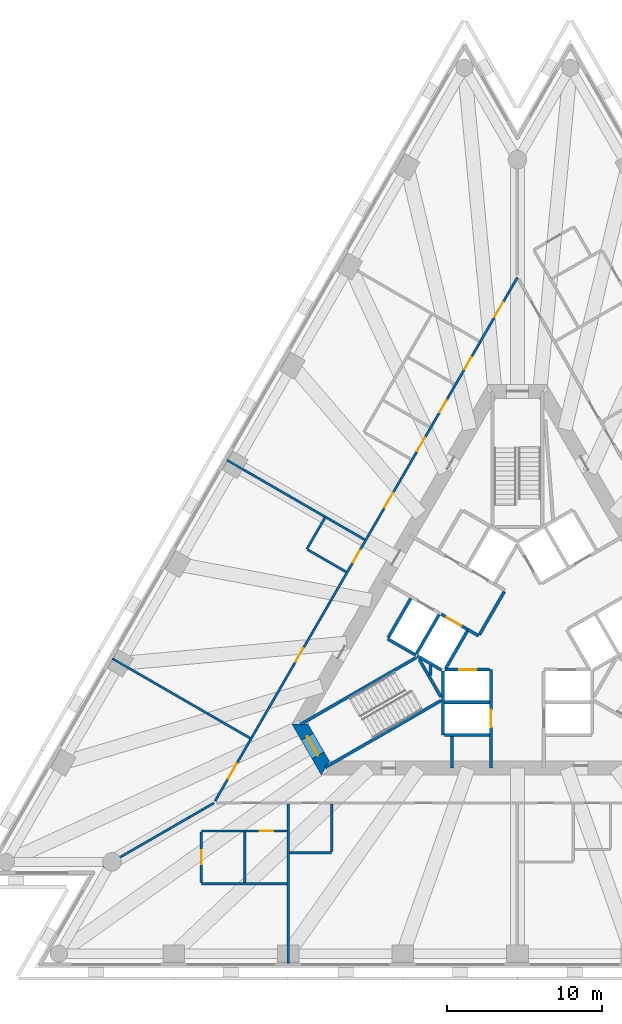
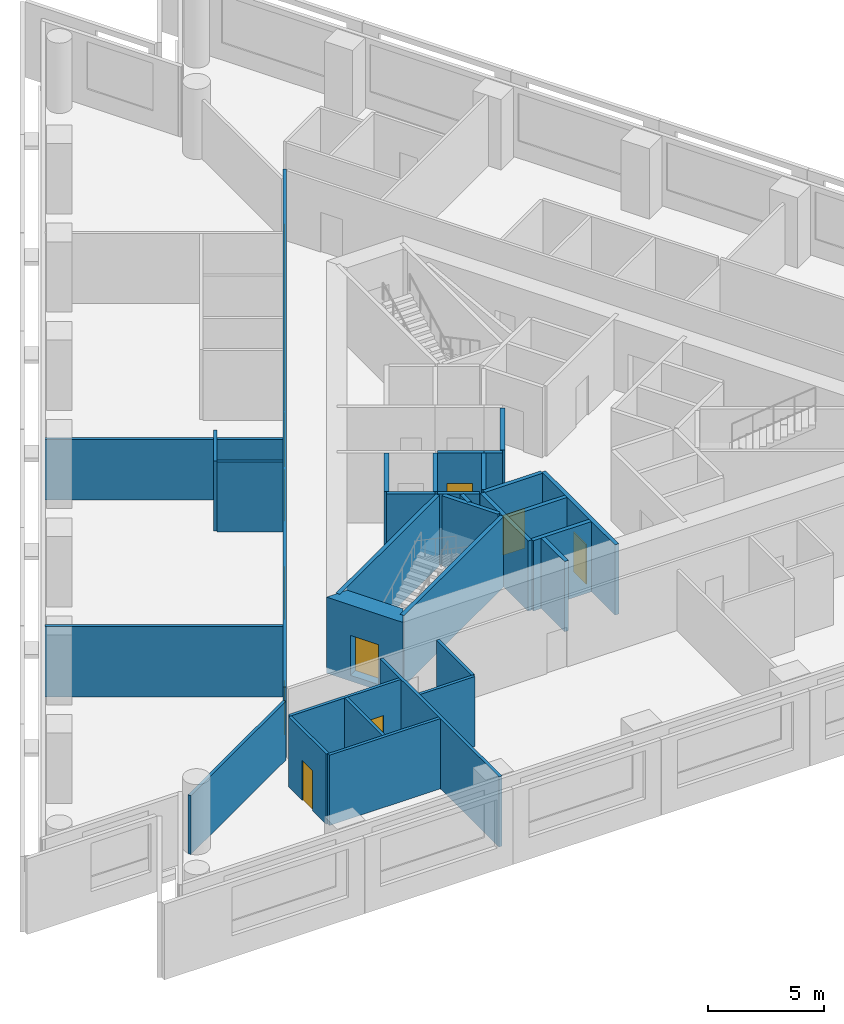
# One storey, part 3 of 11: 32 walls, 14 doors, 14 openings.
"""IFC4 building model written with IfcOpenShell, lengths in metres."""

from ifc_helpers import new_model, si_unit, direction, frame, frame_2d, origin, place, context, subcontext, project, spatial, polyline, rectangle, outline, extrude, material, layer, layer_set, type_object, element, fill, save


model = new_model("IFC4")

# Units and contexts
model_context = context("Model", 3, precision=1e-05, world=origin(), true_north=direction((0.0, 1.0)))
body_context = subcontext(model_context, "Body", "Model", "MODEL_VIEW")
ifc_project = project(units=[si_unit("LENGTHUNIT", "METRE"), si_unit("AREAUNIT", "SQUARE_METRE"), si_unit("VOLUMEUNIT", "CUBIC_METRE"), si_unit("PLANEANGLEUNIT", "RADIAN"), si_unit("MASSUNIT", "GRAM", prefix="KILO")], contexts=[model_context])

# Site, building, storey
site_placement = place(None, origin())
site = spatial("IfcSite", under=ifc_project, at=site_placement, CompositionType="ELEMENT")
building_placement = place(site_placement, origin())
building = spatial("IfcBuilding", under=site, at=building_placement, Name="Triada Interchange Tower", CompositionType="ELEMENT")
storey_placement = place(building_placement, frame((0.0, 0.0, 63.300048828125)))
storey = spatial("IfcBuildingStorey", under=building, at=storey_placement, Name="L13", CompositionType="ELEMENT", Elevation=63.300048828125)

# Walls
ifc_material_1 = material(Name="Concrete C30/37", Category="concrete")
ifc_layer_1 = layer(ifc_material_1, 0.199951171875)
ifc_layer_set_1 = layer_set([ifc_layer_1], Name="CORE WALL 200 EI 120")
wall_type_1 = type_object("IfcWallType", Name="CORE WALL 200 EI 120", PredefinedType="SOLIDWALL", material=ifc_layer_set_1)
wall_1_placement = place(storey_placement, frame((-8.3759765625, -0.70703125, 0.0), z_axis=(0.0, 0.0, 1.0), x_axis=(0.866067520717, -0.499927044236, 0.0)))
element("IfcWall", 1, at=wall_1_placement, inside=storey, type_object=wall_type_1, Name="Wall L12 47", PredefinedType="SOLIDWALL", context=body_context, shape_type="SweptSolid", body=[
    extrude(rectangle(XDim=2.100341796875, YDim=0.199951171875, at=frame_2d((1.05029296875, 0.0))), origin(), (0.0, 0.0, 1.0), 3.699951171875),
])
wall_2_placement = place(storey_placement, frame((-8.325927734375, -0.6201171875, 0.0), z_axis=(0.0, 0.0, 1.0), x_axis=(0.500023687443, 0.866011727401, 0.0)))
element("IfcWall", 2, at=wall_2_placement, inside=storey, type_object=wall_type_1, Name="Wall L12 48", PredefinedType="SOLIDWALL", context=body_context, shape_type="SweptSolid", body=[
    extrude(rectangle(XDim=2.899658203125, YDim=0.199951171875, at=frame_2d((1.44970703125, 0.0))), origin(), (0.0, 0.0, 1.0), 3.699951171875),
])
wall_3_placement = place(storey_placement, frame((-4.699951171875, -4.800048828125, 0.0), z_axis=(0.0, 0.0, 1.0), x_axis=(1.0, 0.0, 0.0)))
element("IfcWall", 3, at=wall_3_placement, inside=storey, type_object=wall_type_1, Name="Wall L12 49", PredefinedType="SOLIDWALL", context=body_context, shape_type="SweptSolid", body=[
    extrude(rectangle(XDim=2.89990234375, YDim=0.199951171875, at=frame_2d((1.449951171875, 0.0))), origin(), (0.0, 0.0, 1.0), 3.699951171875),
])
wall_4_placement = place(storey_placement, frame((-4.800048828125, -6.89990234375, 0.0), z_axis=(0.0, 0.0, 1.0), x_axis=(0.0, 1.0, 0.0)))
element("IfcWall", 4, at=wall_4_placement, inside=storey, type_object=wall_type_1, Name="Wall L12 51", PredefinedType="SOLIDWALL", context=body_context, shape_type="SweptSolid", body=[
    extrude(rectangle(XDim=4.130859375, YDim=0.199951171875, at=frame_2d((2.0654296875, 0.0))), origin(), (0.0, 0.0, 1.0), 3.699951171875),
])
wall_5_placement = place(storey_placement, frame((-4.699951171875, -6.89990234375, 0.0), z_axis=(0.0, 0.0, 1.0), x_axis=(1.0, 0.0, 0.0)))
element("IfcWall", 5, at=wall_5_placement, inside=storey, type_object=wall_type_1, Name="Wall L12 52", PredefinedType="SOLIDWALL", context=body_context, shape_type="SweptSolid", body=[
    extrude(rectangle(XDim=2.89990234375, YDim=0.199951171875, at=frame_2d((1.449951171875, 0.0))), origin(), (0.0, 0.0, 1.0), 3.699951171875),
])

# Wall, opening, door
wall_6_placement = place(storey_placement, frame((-1.699951171875, -9.030029296875, 0.0), z_axis=(0.0, 0.0, 1.0), x_axis=(0.0, 1.0, 0.0)))
wall_6 = element("IfcWall", 6, at=wall_6_placement, inside=storey, type_object=wall_type_1, Name="Wall L12 54", PredefinedType="SOLIDWALL", context=body_context, shape_type="SweptSolid", body=[
    extrude(rectangle(XDim=6.3271484375, YDim=0.199951171875, at=frame_2d((3.16357421875, 0.0))), origin(), (0.0, 0.0, 1.0), 3.699951171875),
])
opening_1_placement = place(wall_6_placement, frame((2.6298828125, 0.0, 0.0)))
opening_1 = element("IfcOpeningElement", 7, at=opening_1_placement, cuts=wall_6, Name="Opening LD-LR4", PredefinedType="OPENING", context=body_context, shape_type="SweptSolid", body=[
    extrude(rectangle(XDim=1.10009765625, YDim=2.10009765625, at=frame_2d((0.550048828125, 1.050048828125))), frame((0.0, 0.10986328125, 0.0), z_axis=(0.0, -1.0, 0.0), x_axis=(1.0, 0.0, 0.0)), (0.0, 0.0, 1.0), 0.219970703125),
])
ifc_material_2 = material(Name="Steel S235 door leaf", Category="steel")
door_type_1 = type_object("IfcDoorType", Name="LIFT LANDING DOOR 1100 EI 120", OperationType="SLIDING_TO_LEFT", PredefinedType="DOOR", material=ifc_material_2)
door_1_placement = place(opening_1_placement, origin())
door_1 = element("IfcDoor", 8, at=door_1_placement, inside=storey, type_object=door_type_1, Name="LR4 landing door L13", OperationType="SLIDING_TO_LEFT", OverallHeight=2.10009765625, OverallWidth=1.10009765625, PredefinedType="DOOR", context=body_context, shape_type="SweptSolid", body=[
    extrude(rectangle(XDim=1.10009765625, YDim=2.10009765625, at=frame_2d((0.550048828125, 1.050048828125))), frame((0.0, 0.02490234375, 0.0), z_axis=(0.0, -1.0, 0.0), x_axis=(1.0, 0.0, 0.0)), (0.0, 0.0, 1.0), 0.050048828125),
])
fill(opening_1, door_1)

wall_7_placement = place(storey_placement, frame((-4.676025390625, -2.699951171875, 0.0), z_axis=(0.0, 0.0, 1.0), x_axis=(1.0, 0.0, 0.0)))
wall_7 = element("IfcWall", 9, at=wall_7_placement, inside=storey, type_object=wall_type_1, Name="Wall L12 55", PredefinedType="SOLIDWALL", context=body_context, shape_type="SweptSolid", body=[
    extrude(rectangle(XDim=2.873046875, YDim=0.199951171875, at=frame_2d((1.4365234375, 0.0))), origin(), (0.0, 0.0, 1.0), 3.699951171875),
])
opening_2_placement = place(wall_7_placement, frame((0.93701171875, 0.0, 0.0)))
opening_2 = element("IfcOpeningElement", 10, at=opening_2_placement, cuts=wall_7, Name="Opening LD-LR3", PredefinedType="OPENING", context=body_context, shape_type="SweptSolid", body=[
    extrude(rectangle(XDim=1.10009765625, YDim=2.10009765625, at=frame_2d((0.550048828125, 1.050048828125))), frame((0.0, 0.10986328125, 0.0), z_axis=(0.0, -1.0, 0.0), x_axis=(1.0, 0.0, 0.0)), (0.0, 0.0, 1.0), 0.219970703125),
])
door_2_placement = place(opening_2_placement, origin())
door_2 = element("IfcDoor", 11, at=door_2_placement, inside=storey, type_object=door_type_1, Name="LR3 landing door L13", OperationType="SLIDING_TO_LEFT", OverallHeight=2.10009765625, OverallWidth=1.10009765625, PredefinedType="DOOR", context=body_context, shape_type="SweptSolid", body=[
    extrude(rectangle(XDim=1.10009765625, YDim=2.10009765625, at=frame_2d((0.550048828125, 1.050048828125))), frame((0.0, 0.02490234375, 0.0), z_axis=(0.0, -1.0, 0.0), x_axis=(1.0, 0.0, 0.0)), (0.0, 0.0, 1.0), 0.050048828125),
])
fill(opening_2, door_2)

# Walls
ifc_layer_2 = layer(ifc_material_1, 0.199951171875)
ifc_layer_set_2 = layer_set([ifc_layer_2], Name="CORE WALL 200 EI 180")
wall_type_2 = type_object("IfcWallType", Name="CORE WALL 200 EI 180", PredefinedType="SOLIDWALL", material=ifc_layer_set_2)
wall_8_placement = place(storey_placement, frame((-3.18798828125, -0.1220703125, 0.0), z_axis=(0.0, 0.0, 1.0), x_axis=(0.865705793592, -0.50055317294, 0.0)))
element("IfcWall", 12, at=wall_8_placement, inside=storey, type_object=wall_type_2, Name="Wall L12 70", PredefinedType="SOLIDWALL", context=body_context, shape_type="SweptSolid", body=[
    extrude(rectangle(XDim=0.796875, YDim=0.199951171875, at=frame_2d((0.3984375, 0.0))), origin(), (0.0, 0.0, 1.0), 3.699951171875),
])
wall_9_placement = place(storey_placement, frame((-2.444091796875, -0.43310546875, 0.0), z_axis=(0.0, 0.0, 1.0), x_axis=(0.500035624827, 0.866004834804, 0.0)))
element("IfcWall", 13, at=wall_9_placement, inside=storey, type_object=wall_type_2, Name="Wall L12 75", PredefinedType="SOLIDWALL", context=body_context, shape_type="SweptSolid", body=[
    extrude(rectangle(XDim=3.194091796875, YDim=0.199951171875, at=frame_2d((1.59716796875, 0.0))), origin(), (0.0, 0.0, 1.0), 3.699951171875),
])
wall_10_placement = place(storey_placement, frame((-6.507080078125, -1.669921875, 0.0), z_axis=(0.0, 0.0, 1.0), x_axis=(0.50012328804, 0.865954211699, 0.0)))
element("IfcWall", 14, at=wall_10_placement, inside=storey, type_object=wall_type_2, Name="Shaft wall FF1 L12 76", PredefinedType="SOLIDWALL", context=body_context, shape_type="SweptSolid", body=[
    extrude(rectangle(XDim=2.899658203125, YDim=0.199951171875, at=frame_2d((1.44970703125, 0.0))), origin(), (0.0, 0.0, 1.0), 3.699951171875),
])
wall_11_placement = place(storey_placement, frame((-6.469970703125, -1.806884765625, 0.0), z_axis=(0.0, 0.0, 1.0), x_axis=(0.865883195159, -0.500246231712, 0.0)))
element("IfcWall", 15, at=wall_11_placement, inside=storey, type_object=wall_type_2, Name="Shaft wall FF1 L12 77", PredefinedType="SOLIDWALL", context=body_context, shape_type="SweptSolid", body=[
    extrude(rectangle(XDim=1.8154296875, YDim=0.199951171875, at=frame_2d((0.90771484375, 0.0))), origin(), (0.0, 0.0, 1.0), 3.699951171875),
])

# Wall, opening, door
wall_12_placement = place(storey_placement, frame((-4.922119140625, 0.87890625, 0.0), z_axis=(0.0, 0.0, 1.0), x_axis=(0.866073918653, -0.499915960366, 0.0)))
wall_12 = element("IfcWall", 16, at=wall_12_placement, inside=storey, type_object=wall_type_2, Name="Shaft wall FF1 L12 78", PredefinedType="SOLIDWALL", context=body_context, shape_type="SweptSolid", body=[
    extrude(rectangle(XDim=2.002197265625, YDim=0.199951171875, at=frame_2d((1.0009765625, 0.0))), origin(), (0.0, 0.0, 1.0), 3.699951171875),
])
opening_3_placement = place(wall_12_placement, frame((0.402099609375, 0.0, 0.0)))
opening_3 = element("IfcOpeningElement", 17, at=opening_3_placement, cuts=wall_12, Name="Opening LD-FF1", PredefinedType="OPENING", context=body_context, shape_type="SweptSolid", body=[
    extrude(rectangle(XDim=1.10009765625, YDim=2.10009765625, at=frame_2d((0.550048828125, 1.050048828125))), frame((0.0, 0.10986328125, 0.0), z_axis=(0.0, -1.0, 0.0), x_axis=(1.0, 0.0, 0.0)), (0.0, 0.0, 1.0), 0.219970703125),
])
door_3_placement = place(opening_3_placement, origin())
door_3 = element("IfcDoor", 18, at=door_3_placement, inside=storey, type_object=door_type_1, Name="FF1 landing door L13", OperationType="SLIDING_TO_LEFT", OverallHeight=2.10009765625, OverallWidth=1.10009765625, PredefinedType="DOOR", context=body_context, shape_type="SweptSolid", body=[
    extrude(rectangle(XDim=1.10009765625, YDim=2.10009765625, at=frame_2d((0.550048828125, 1.050048828125))), frame((0.0, 0.02490234375, 0.0), z_axis=(0.0, -1.0, 0.0), x_axis=(1.0, 0.0, 0.0)), (0.0, 0.0, 1.0), 0.050048828125),
])
fill(opening_3, door_3)

# Walls
wall_13_placement = place(storey_placement, frame((-4.618896484375, -2.60009765625, 0.0), z_axis=(0.0, 0.0, 1.0), x_axis=(0.50009492287, 0.865970593103, 0.0)))
element("IfcWall", 19, at=wall_13_placement, inside=storey, type_object=wall_type_2, Name="Shaft wall FF1 L12 79", PredefinedType="SOLIDWALL", context=body_context, shape_type="SweptSolid", body=[
    extrude(rectangle(XDim=2.76123046875, YDim=0.199951171875, at=frame_2d((1.380615234375, 0.0))), origin(), (0.0, 0.0, 1.0), 3.699951171875),
])
ifc_layer_3 = layer(ifc_material_1, 0.199951171875)
ifc_layer_set_3 = layer_set([ifc_layer_3], Name="CORE WALL 200 EI 90")
wall_type_3 = type_object("IfcWallType", Name="CORE WALL 200 EI 90", PredefinedType="SOLIDWALL", material=ifc_layer_set_3)
wall_14_placement = place(storey_placement, frame((-5.612060546875, -3.080078125, 0.0), z_axis=(0.0, 0.0, 1.0), x_axis=(0.0, 1.0, 0.0)))
element("IfcWall", 20, at=wall_14_placement, inside=storey, type_object=wall_type_3, Name="Wall L12 84", PredefinedType="SOLIDWALL", context=body_context, shape_type="SweptSolid", body=[
    extrude(rectangle(XDim=0.662109375, YDim=0.199951171875, at=frame_2d((0.3310546875, 0.0))), origin(), (0.0, 0.0, 1.0), 3.699951171875),
])
wall_15_placement = place(storey_placement, frame((-4.208984375, -9.030029296875, 0.0), z_axis=(0.0, 0.0, 1.0), x_axis=(0.0, 1.0, 0.0)))
element("IfcWall", 21, at=wall_15_placement, inside=storey, type_object=wall_type_3, Name="Wall L12 85", PredefinedType="SOLIDWALL", context=body_context, shape_type="SweptSolid", body=[
    extrude(rectangle(XDim=2.030029296875, YDim=0.199951171875, at=frame_2d((1.01513671875, 0.0))), origin(), (0.0, 0.0, 1.0), 3.699951171875),
])
ifc_layer_4 = layer(ifc_material_1, 0.199951171875)
ifc_layer_set_4 = layer_set([ifc_layer_4], Name="CORE WALL 200 REI 240")
wall_type_4 = type_object("IfcWallType", Name="CORE WALL 200 REI 240", PredefinedType="SOLIDWALL", material=ifc_layer_set_4)
wall_16_placement = place(storey_placement, frame((-13.989990234375, -6.22900390625, 0.0), z_axis=(0.0, 0.0, 1.0), x_axis=(0.866060059011, 0.499939970583, 0.0)))
element("IfcWall", 22, at=wall_16_placement, inside=storey, type_object=wall_type_4, Name="Wall L12 87", PredefinedType="SOLIDWALL", context=body_context, shape_type="SweptSolid", body=[
    extrude(rectangle(XDim=8.61474609375, YDim=0.199951171875, at=frame_2d((4.307373046875, 0.0))), origin(), (0.0, 0.0, 1.0), 3.699951171875),
])
wall_17_placement = place(storey_placement, frame((-6.3291015625, -2.0380859375, 0.0), z_axis=(0.0, 0.0, 1.0), x_axis=(0.500200581029, -0.865909567298, 0.0)))
element("IfcWall", 23, at=wall_17_placement, inside=storey, type_object=wall_type_4, Name="Wall L12 88", PredefinedType="SOLIDWALL", context=body_context, shape_type="SweptSolid", body=[
    extrude(rectangle(XDim=2.799072265625, YDim=0.199951171875, at=frame_2d((1.3994140625, 0.0))), origin(), (0.0, 0.0, 1.0), 3.699951171875),
])
wall_18_placement = place(storey_placement, frame((-12.389892578125, -9.0009765625, 0.0), z_axis=(0.0, 0.0, 1.0), x_axis=(0.866010975815, 0.500024989144, 0.0)))
element("IfcWall", 24, at=wall_18_placement, inside=storey, type_object=wall_type_4, Name="Wall L12 89", PredefinedType="SOLIDWALL", context=body_context, shape_type="SweptSolid", body=[
    extrude(rectangle(XDim=8.615234375, YDim=0.199951171875, at=frame_2d((4.3076171875, 0.0))), origin(), (0.0, 0.0, 1.0), 3.699951171875),
])

# Wall, opening, door
ifc_material_3 = material(Name="Concrete C70/85", Category="concrete")
ifc_layer_5 = layer(ifc_material_3, 0.89990234375)
ifc_layer_set_5 = layer_set([ifc_layer_5], Name="Core wall A 900")
wall_type_5 = type_object("IfcWallType", Name="Core wall A 900", PredefinedType="SHEAR", material=ifc_layer_set_5)
wall_19_placement = place(storey_placement, frame((-14.030029296875, -6.199951171875, -0.300048828125), z_axis=(0.0, 0.0, 1.0), x_axis=(0.500111984565, -0.865960739811, 0.0)))
wall_19 = element("IfcWall", 25, at=wall_19_placement, inside=storey, type_object=wall_type_5, Name="Core wall WA03 L13", PredefinedType="SHEAR", context=body_context, shape_type="SweptSolid", body=[
    extrude(outline(polyline([(-0.260009765625, -0.448974609375), (1.6455078125, -0.449462890625), (3.551025390625, -0.449951171875), (3.031982421875, 0.449951171875), (1.64599609375, 0.449951171875), (0.260009765625, 0.449951171875), (-0.260009765625, -0.448974609375)])), origin(), (0.0, 0.0, 1.0), 4.0),
])
opening_4_placement = place(wall_19_placement, frame((0.946044921875, 0.0, 0.300048828125)))
opening_4 = element("IfcOpeningElement", 26, at=opening_4_placement, cuts=wall_19, Name="Opening D12-42", PredefinedType="OPENING", context=body_context, shape_type="SweptSolid", body=[
    extrude(rectangle(XDim=1.39990234375, YDim=2.10009765625, at=frame_2d((0.699951171875, 1.050048828125))), frame((0.0, 0.4599609375, 0.0), z_axis=(0.0, -1.0, 0.0), x_axis=(1.0, 0.0, 0.0)), (0.0, 0.0, 1.0), 0.919921875),
])
door_type_2 = type_object("IfcDoorType", Name="STAIR DOOR 1400 EI2 90-C5S200", OperationType="DOUBLE_DOOR_SINGLE_SWING", PredefinedType="DOOR", material=ifc_material_2)
door_4_placement = place(opening_4_placement, origin())
door_4 = element("IfcDoor", 27, at=door_4_placement, inside=storey, type_object=door_type_2, Name="Door D12-42 L13", OperationType="DOUBLE_DOOR_SINGLE_SWING", OverallHeight=2.10009765625, OverallWidth=1.39990234375, PredefinedType="DOOR", context=body_context, shape_type="SweptSolid", body=[
    extrude(rectangle(XDim=1.39990234375, YDim=2.10009765625, at=frame_2d((0.699951171875, 1.050048828125))), frame((0.0, 0.02490234375, 0.0), z_axis=(0.0, -1.0, 0.0), x_axis=(1.0, 0.0, 0.0)), (0.0, 0.0, 1.0), 0.050048828125),
])
fill(opening_4, door_4)

# Walls
ifc_material_4 = material(Name="Gypsum board partition")
ifc_layer_6 = layer(ifc_material_4, 0.14990234375)
ifc_layer_set_6 = layer_set([ifc_layer_6], Name="PARTITION 150 EI 180")
wall_type_6 = type_object("IfcWallType", Name="PARTITION 150 EI 180", PredefinedType="PARTITIONING", material=ifc_layer_set_6)
wall_20_placement = place(storey_placement, frame((-26.68701171875, -15.407958984375, 0.0), z_axis=(0.0, 0.0, 1.0), x_axis=(0.866021786635, 0.500006265035, 0.0)))
element("IfcWall", 28, at=wall_20_placement, inside=storey, type_object=wall_type_6, Name="Wall L12 1", PredefinedType="PARTITIONING", context=body_context, shape_type="SweptSolid", body=[
    extrude(rectangle(XDim=8.2158203125, YDim=0.14990234375, at=frame_2d((4.10791015625, 0.0))), origin(), (0.0, 0.0, 1.0), 3.099853515625),
])
wall_21_placement = place(storey_placement, frame((-26.1279296875, -1.985107421875, 0.0), z_axis=(0.0, 0.0, 1.0), x_axis=(0.866020337685, -0.500008774639, 0.0)))
element("IfcWall", 29, at=wall_21_placement, inside=storey, type_object=wall_type_6, Name="Wall L12 3", PredefinedType="PARTITIONING", context=body_context, shape_type="SweptSolid", body=[
    extrude(rectangle(XDim=10.259521484375, YDim=0.14990234375, at=frame_2d((5.1298828125, 0.0))), origin(), (0.0, 0.0, 1.0), 3.699951171875),
])

# Wall, openings, doors
wall_22_placement = place(storey_placement, frame((-19.4970703125, -11.169921875, 0.0), z_axis=(0.0, 0.0, 1.0), x_axis=(0.499998854553, 0.866026065108, 0.0)))
wall_22 = element("IfcWall", 30, at=wall_22_placement, inside=storey, type_object=wall_type_6, Name="Wall L12 4", PredefinedType="PARTITIONING", context=body_context, shape_type="SweptSolid", body=[
    extrude(rectangle(XDim=38.994140625, YDim=0.14990234375, at=frame_2d((19.4970703125, 0.0))), origin(), (0.0, 0.0, 1.0), 3.699951171875),
])
opening_5_placement = place(wall_22_placement, frame((36.0439453125, 0.0, 0.0)))
opening_5 = element("IfcOpeningElement", 31, at=opening_5_placement, cuts=wall_22, Name="Opening D12-32", PredefinedType="OPENING", context=body_context, shape_type="SweptSolid", body=[
    extrude(rectangle(XDim=1.10009765625, YDim=2.10009765625, at=frame_2d((0.550048828125, 1.050048828125))), frame((0.0, 0.0849609375, 0.0), z_axis=(0.0, -1.0, 0.0), x_axis=(1.0, 0.0, 0.0)), (0.0, 0.0, 1.0), 0.169921875),
])
opening_6_placement = place(wall_22_placement, frame((21.85498046875, 0.0, 0.0)))
opening_6 = element("IfcOpeningElement", 32, at=opening_6_placement, cuts=wall_22, Name="Opening D12-33", PredefinedType="OPENING", context=body_context, shape_type="SweptSolid", body=[
    extrude(rectangle(XDim=1.10009765625, YDim=2.10009765625, at=frame_2d((0.550048828125, 1.050048828125))), frame((0.0, 0.0849609375, 0.0), z_axis=(0.0, -1.0, 0.0), x_axis=(1.0, 0.0, 0.0)), (0.0, 0.0, 1.0), 0.169921875),
])
opening_7_placement = place(wall_22_placement, frame((32.155029296875, 0.0, 0.0)))
opening_7 = element("IfcOpeningElement", 33, at=opening_7_placement, cuts=wall_22, Name="Opening D12-34", PredefinedType="OPENING", context=body_context, shape_type="SweptSolid", body=[
    extrude(rectangle(XDim=0.89990234375, YDim=2.10009765625, at=frame_2d((0.449951171875, 1.050048828125))), frame((0.0, 0.0849609375, 0.0), z_axis=(0.0, -1.0, 0.0), x_axis=(1.0, 0.0, 0.0)), (0.0, 0.0, 1.0), 0.169921875),
])
opening_8_placement = place(wall_22_placement, frame((28.955078125, 0.0, 0.0)))
opening_8 = element("IfcOpeningElement", 34, at=opening_8_placement, cuts=wall_22, Name="Opening D12-35", PredefinedType="OPENING", context=body_context, shape_type="SweptSolid", body=[
    extrude(rectangle(XDim=0.89990234375, YDim=2.10009765625, at=frame_2d((0.449951171875, 1.050048828125))), frame((0.0, 0.0849609375, 0.0), z_axis=(0.0, -1.0, 0.0), x_axis=(1.0, 0.0, 0.0)), (0.0, 0.0, 1.0), 0.169921875),
])
opening_9_placement = place(wall_22_placement, frame((26.054931640625, 0.0, 0.0)))
opening_9 = element("IfcOpeningElement", 35, at=opening_9_placement, cuts=wall_22, Name="Opening D12-36", PredefinedType="OPENING", context=body_context, shape_type="SweptSolid", body=[
    extrude(rectangle(XDim=1.0, YDim=2.10009765625, at=frame_2d((0.5, 1.050048828125))), frame((0.0, 0.0849609375, 0.0), z_axis=(0.0, -1.0, 0.0), x_axis=(1.0, 0.0, 0.0)), (0.0, 0.0, 1.0), 0.169921875),
])
opening_10_placement = place(wall_22_placement, frame((10.373046875, 0.0, 0.0)))
opening_10 = element("IfcOpeningElement", 36, at=opening_10_placement, cuts=wall_22, Name="Opening D12-37", PredefinedType="OPENING", context=body_context, shape_type="SweptSolid", body=[
    extrude(rectangle(XDim=1.0, YDim=2.10009765625, at=frame_2d((0.5, 1.050048828125))), frame((0.0, 0.0849609375, 0.0), z_axis=(0.0, -1.0, 0.0), x_axis=(1.0, 0.0, 0.0)), (0.0, 0.0, 1.0), 0.169921875),
])
opening_11_placement = place(wall_22_placement, frame((17.77294921875, 0.0, 0.0)))
opening_11 = element("IfcOpeningElement", 37, at=opening_11_placement, cuts=wall_22, Name="Opening D12-38", PredefinedType="OPENING", context=body_context, shape_type="SweptSolid", body=[
    extrude(rectangle(XDim=0.89990234375, YDim=2.10009765625, at=frame_2d((0.449951171875, 1.050048828125))), frame((0.0, 0.0849609375, 0.0), z_axis=(0.0, -1.0, 0.0), x_axis=(1.0, 0.0, 0.0)), (0.0, 0.0, 1.0), 0.169921875),
])
opening_12_placement = place(wall_22_placement, frame((1.68896484375, 0.0, 0.0)))
opening_12 = element("IfcOpeningElement", 38, at=opening_12_placement, cuts=wall_22, Name="Opening D12-39", PredefinedType="OPENING", context=body_context, shape_type="SweptSolid", body=[
    extrude(rectangle(XDim=1.10009765625, YDim=2.10009765625, at=frame_2d((0.550048828125, 1.050048828125))), frame((0.0, 0.0849609375, 0.0), z_axis=(0.0, -1.0, 0.0), x_axis=(1.0, 0.0, 0.0)), (0.0, 0.0, 1.0), 0.169921875),
])
door_type_3 = type_object("IfcDoorType", Name="ROOM DOOR 1000 EI2 90-C5S200", OperationType="NOTDEFINED", PredefinedType="DOOR", material=ifc_material_2)
door_5_placement = place(opening_9_placement, origin())
door_5 = element("IfcDoor", 39, at=door_5_placement, inside=storey, type_object=door_type_3, Name="Door D12-36 L13", OperationType="SINGLE_SWING_RIGHT", OverallHeight=2.10009765625, OverallWidth=1.0, PredefinedType="DOOR", context=body_context, shape_type="SweptSolid", body=[
    extrude(rectangle(XDim=1.0, YDim=2.10009765625, at=frame_2d((0.5, 1.050048828125))), frame((0.0, 0.02490234375, 0.0), z_axis=(0.0, -1.0, 0.0), x_axis=(1.0, 0.0, 0.0)), (0.0, 0.0, 1.0), 0.050048828125),
])
fill(opening_9, door_5)
door_6_placement = place(opening_10_placement, origin())
door_6 = element("IfcDoor", 40, at=door_6_placement, inside=storey, type_object=door_type_3, Name="Door D12-37 L13", OperationType="SINGLE_SWING_LEFT", OverallHeight=2.10009765625, OverallWidth=1.0, PredefinedType="DOOR", context=body_context, shape_type="SweptSolid", body=[
    extrude(rectangle(XDim=1.0, YDim=2.10009765625, at=frame_2d((0.5, 1.050048828125))), frame((0.0, 0.02490234375, 0.0), z_axis=(0.0, -1.0, 0.0), x_axis=(1.0, 0.0, 0.0)), (0.0, 0.0, 1.0), 0.050048828125),
])
fill(opening_10, door_6)
door_type_4 = type_object("IfcDoorType", Name="ROOM DOOR 900 EI2 90-C5S200", OperationType="NOTDEFINED", PredefinedType="DOOR", material=ifc_material_2)
door_7_placement = place(opening_7_placement, origin())
door_7 = element("IfcDoor", 41, at=door_7_placement, inside=storey, type_object=door_type_4, Name="Door D12-34 L13", OperationType="SINGLE_SWING_RIGHT", OverallHeight=2.10009765625, OverallWidth=0.89990234375, PredefinedType="DOOR", context=body_context, shape_type="SweptSolid", body=[
    extrude(rectangle(XDim=0.89990234375, YDim=2.10009765625, at=frame_2d((0.449951171875, 1.050048828125))), frame((0.0, 0.02490234375, 0.0), z_axis=(0.0, -1.0, 0.0), x_axis=(1.0, 0.0, 0.0)), (0.0, 0.0, 1.0), 0.050048828125),
])
fill(opening_7, door_7)
door_8_placement = place(opening_8_placement, origin())
door_8 = element("IfcDoor", 42, at=door_8_placement, inside=storey, type_object=door_type_4, Name="Door D12-35 L13", OperationType="SINGLE_SWING_LEFT", OverallHeight=2.10009765625, OverallWidth=0.89990234375, PredefinedType="DOOR", context=body_context, shape_type="SweptSolid", body=[
    extrude(rectangle(XDim=0.89990234375, YDim=2.10009765625, at=frame_2d((0.449951171875, 1.050048828125))), frame((0.0, 0.02490234375, 0.0), z_axis=(0.0, -1.0, 0.0), x_axis=(1.0, 0.0, 0.0)), (0.0, 0.0, 1.0), 0.050048828125),
])
fill(opening_8, door_8)
door_type_5 = type_object("IfcDoorType", Name="SERVICE DOOR 900 EI2 90-C5S200", OperationType="NOTDEFINED", PredefinedType="DOOR", material=ifc_material_2)
door_9_placement = place(opening_11_placement, origin())
door_9 = element("IfcDoor", 43, at=door_9_placement, inside=storey, type_object=door_type_5, Name="Door D12-38 L13", OperationType="SINGLE_SWING_RIGHT", OverallHeight=2.10009765625, OverallWidth=0.89990234375, PredefinedType="DOOR", context=body_context, shape_type="SweptSolid", body=[
    extrude(rectangle(XDim=0.89990234375, YDim=2.10009765625, at=frame_2d((0.449951171875, 1.050048828125))), frame((0.0, 0.02490234375, 0.0), z_axis=(0.0, -1.0, 0.0), x_axis=(1.0, 0.0, 0.0)), (0.0, 0.0, 1.0), 0.050048828125),
])
fill(opening_11, door_9)
door_type_6 = type_object("IfcDoorType", Name="TENANCY ENTRANCE DOOR 1100 EI2 90-C5S200", OperationType="NOTDEFINED", PredefinedType="DOOR", material=ifc_material_2)
door_10_placement = place(opening_5_placement, origin())
door_10 = element("IfcDoor", 44, at=door_10_placement, inside=storey, type_object=door_type_6, Name="Door D12-32 L13", OperationType="SINGLE_SWING_RIGHT", OverallHeight=2.10009765625, OverallWidth=1.10009765625, PredefinedType="DOOR", context=body_context, shape_type="SweptSolid", body=[
    extrude(rectangle(XDim=1.10009765625, YDim=2.10009765625, at=frame_2d((0.550048828125, 1.050048828125))), frame((0.0, 0.02490234375, 0.0), z_axis=(0.0, -1.0, 0.0), x_axis=(1.0, 0.0, 0.0)), (0.0, 0.0, 1.0), 0.050048828125),
])
fill(opening_5, door_10)
door_11_placement = place(opening_6_placement, origin())
door_11 = element("IfcDoor", 45, at=door_11_placement, inside=storey, type_object=door_type_6, Name="Door D12-33 L13", OperationType="SINGLE_SWING_RIGHT", OverallHeight=2.10009765625, OverallWidth=1.10009765625, PredefinedType="DOOR", context=body_context, shape_type="SweptSolid", body=[
    extrude(rectangle(XDim=1.10009765625, YDim=2.10009765625, at=frame_2d((0.550048828125, 1.050048828125))), frame((0.0, 0.02490234375, 0.0), z_axis=(0.0, -1.0, 0.0), x_axis=(1.0, 0.0, 0.0)), (0.0, 0.0, 1.0), 0.050048828125),
])
fill(opening_6, door_11)
door_12_placement = place(opening_12_placement, origin())
door_12 = element("IfcDoor", 46, at=door_12_placement, inside=storey, type_object=door_type_6, Name="Door D12-39 L13", OperationType="SINGLE_SWING_LEFT", OverallHeight=2.10009765625, OverallWidth=1.10009765625, PredefinedType="DOOR", context=body_context, shape_type="SweptSolid", body=[
    extrude(rectangle(XDim=1.10009765625, YDim=2.10009765625, at=frame_2d((0.550048828125, 1.050048828125))), frame((0.0, 0.02490234375, 0.0), z_axis=(0.0, -1.0, 0.0), x_axis=(1.0, 0.0, 0.0)), (0.0, 0.0, 1.0), 0.050048828125),
])
fill(opening_12, door_12)

# Walls
wall_23_placement = place(storey_placement, frame((-18.736083984375, 10.818115234375, 0.0), z_axis=(0.0, 0.0, 1.0), x_axis=(0.866010033384, -0.500026621369, 0.0)))
element("IfcWall", 47, at=wall_23_placement, inside=storey, type_object=wall_type_6, Name="Wall L12 6", PredefinedType="PARTITIONING", context=body_context, shape_type="SweptSolid", body=[
    extrude(rectangle(XDim=10.259765625, YDim=0.14990234375, at=frame_2d((5.1298828125, 0.0))), origin(), (0.0, 0.0, 1.0), 3.199951171875),
])
wall_24_placement = place(storey_placement, frame((-14.782958984375, -21.635009765625, 0.0), z_axis=(0.0, 0.0, 1.0), x_axis=(0.0, 1.0, 0.0)))
element("IfcWall", 48, at=wall_24_placement, inside=storey, type_object=wall_type_6, Name="Wall L12 8", PredefinedType="PARTITIONING", context=body_context, shape_type="SweptSolid", body=[
    extrude(rectangle(XDim=10.260009765625, YDim=0.14990234375, at=frame_2d((5.1298828125, 0.0))), origin(), (0.0, 0.0, 1.0), 3.699951171875),
])
wall_25_placement = place(storey_placement, frame((-14.7080078125, -14.5, 0.0), z_axis=(0.0, 0.0, 1.0), x_axis=(1.0, 0.0, 0.0)))
element("IfcWall", 49, at=wall_25_placement, inside=storey, type_object=wall_type_6, Name="Wall L12 9", PredefinedType="PARTITIONING", context=body_context, shape_type="SweptSolid", body=[
    extrude(rectangle(XDim=2.72509765625, YDim=0.14990234375, at=frame_2d((1.362548828125, 0.0))), origin(), (0.0, 0.0, 1.0), 3.699951171875),
])
wall_26_placement = place(storey_placement, frame((-11.98291015625, -14.425048828125, 0.0), z_axis=(0.0, 0.0, 1.0), x_axis=(0.0, 1.0, 0.0)))
element("IfcWall", 50, at=wall_26_placement, inside=storey, type_object=wall_type_6, Name="Wall L12 10", PredefinedType="PARTITIONING", context=body_context, shape_type="SweptSolid", body=[
    extrude(rectangle(XDim=3.050048828125, YDim=0.14990234375, at=frame_2d((1.52490234375, 0.0))), origin(), (0.0, 0.0, 1.0), 3.699951171875),
])
wall_27_placement = place(storey_placement, frame((-13.583984375, 5.072021484375, 0.0), z_axis=(0.0, 0.0, 1.0), x_axis=(0.500113184874, 0.865960046605, 0.0)))
element("IfcWall", 51, at=wall_27_placement, inside=storey, type_object=wall_type_6, Name="Wall L12 11", PredefinedType="PARTITIONING", context=body_context, shape_type="SweptSolid", body=[
    extrude(rectangle(XDim=2.32568359375, YDim=0.14990234375, at=frame_2d((1.162841796875, 0.0))), origin(), (0.0, 0.0, 1.0), 3.699951171875),
])
wall_28_placement = place(storey_placement, frame((-13.51904296875, 5.034912109375, 0.0), z_axis=(0.0, 0.0, 1.0), x_axis=(0.866041498374, -0.499972122318, 0.0)))
element("IfcWall", 52, at=wall_28_placement, inside=storey, type_object=wall_type_6, Name="Wall L12 12", PredefinedType="PARTITIONING", context=body_context, shape_type="SweptSolid", body=[
    extrude(rectangle(XDim=2.849853515625, YDim=0.14990234375, at=frame_2d((1.4248046875, 0.0))), origin(), (0.0, 0.0, 1.0), 3.699951171875),
])
ifc_layer_7 = layer(ifc_material_4, 0.14990234375)
ifc_layer_set_7 = layer_set([ifc_layer_7], Name="PARTITION 150 EI 90")
wall_type_7 = type_object("IfcWallType", Name="PARTITION 150 EI 90", PredefinedType="PARTITIONING", material=ifc_layer_set_7)
wall_29_placement = place(storey_placement, frame((-20.383056640625, -16.5, 0.0), z_axis=(0.0, 0.0, 1.0), x_axis=(1.0, 0.0, 0.0)))
element("IfcWall", 53, at=wall_29_placement, inside=storey, type_object=wall_type_7, Name="Wall L12 32", PredefinedType="PARTITIONING", context=body_context, shape_type="SweptSolid", body=[
    extrude(rectangle(XDim=5.525146484375, YDim=0.14990234375, at=frame_2d((2.7626953125, 0.0))), origin(), (0.0, 0.0, 1.0), 3.699951171875),
])
wall_30_placement = place(storey_placement, frame((-17.5830078125, -16.425048828125, 0.0), z_axis=(0.0, 0.0, 1.0), x_axis=(0.0, 1.0, 0.0)))
element("IfcWall", 54, at=wall_30_placement, inside=storey, type_object=wall_type_7, Name="Wall L12 33", PredefinedType="PARTITIONING", context=body_context, shape_type="SweptSolid", body=[
    extrude(rectangle(XDim=3.25, YDim=0.14990234375, at=frame_2d((1.625, 0.0))), origin(), (0.0, 0.0, 1.0), 3.699951171875),
])

# Wall, opening, door
wall_31_placement = place(storey_placement, frame((-20.383056640625, -13.10009765625, 0.0), z_axis=(0.0, 0.0, 1.0), x_axis=(1.0, 0.0, 0.0)))
wall_31 = element("IfcWall", 55, at=wall_31_placement, inside=storey, type_object=wall_type_7, Name="Wall L12 34", PredefinedType="PARTITIONING", context=body_context, shape_type="SweptSolid", body=[
    extrude(rectangle(XDim=5.525146484375, YDim=0.14990234375, at=frame_2d((2.7626953125, 0.0))), origin(), (0.0, 0.0, 1.0), 3.699951171875),
])
opening_13_placement = place(wall_31_placement, frame((3.75, 0.0, 0.0)))
opening_13 = element("IfcOpeningElement", 56, at=opening_13_placement, cuts=wall_31, Name="Opening D12-12", PredefinedType="OPENING", context=body_context, shape_type="SweptSolid", body=[
    extrude(rectangle(XDim=0.89990234375, YDim=2.10009765625, at=frame_2d((0.449951171875, 1.050048828125))), frame((0.0, 0.0849609375, 0.0), z_axis=(0.0, -1.0, 0.0), x_axis=(1.0, 0.0, 0.0)), (0.0, 0.0, 1.0), 0.169921875),
])
door_type_7 = type_object("IfcDoorType", Name="ROOM DOOR 900 EI2 45-C5S200", OperationType="NOTDEFINED", PredefinedType="DOOR", material=ifc_material_2)
door_13_placement = place(opening_13_placement, origin())
door_13 = element("IfcDoor", 57, at=door_13_placement, inside=storey, type_object=door_type_7, Name="Door D12-12 L13", OperationType="SINGLE_SWING_LEFT", OverallHeight=2.10009765625, OverallWidth=0.89990234375, PredefinedType="DOOR", context=body_context, shape_type="SweptSolid", body=[
    extrude(rectangle(XDim=0.89990234375, YDim=2.10009765625, at=frame_2d((0.449951171875, 1.050048828125))), frame((0.0, 0.02490234375, 0.0), z_axis=(0.0, -1.0, 0.0), x_axis=(1.0, 0.0, 0.0)), (0.0, 0.0, 1.0), 0.050048828125),
])
fill(opening_13, door_13)

wall_32_placement = place(storey_placement, frame((-20.383056640625, -16.425048828125, 0.0), z_axis=(0.0, 0.0, 1.0), x_axis=(0.0, 1.0, 0.0)))
wall_32 = element("IfcWall", 58, at=wall_32_placement, inside=storey, type_object=wall_type_7, Name="Wall L12 35", PredefinedType="PARTITIONING", context=body_context, shape_type="SweptSolid", body=[
    extrude(rectangle(XDim=3.25, YDim=0.14990234375, at=frame_2d((1.625, 0.0))), origin(), (0.0, 0.0, 1.0), 3.699951171875),
])
opening_14_placement = place(wall_32_placement, frame((1.175048828125, 0.0, 0.0)))
opening_14 = element("IfcOpeningElement", 59, at=opening_14_placement, cuts=wall_32, Name="Opening D12-13", PredefinedType="OPENING", context=body_context, shape_type="SweptSolid", body=[
    extrude(rectangle(XDim=0.89990234375, YDim=2.10009765625, at=frame_2d((0.449951171875, 1.050048828125))), frame((0.0, 0.0849609375, 0.0), z_axis=(0.0, -1.0, 0.0), x_axis=(1.0, 0.0, 0.0)), (0.0, 0.0, 1.0), 0.169921875),
])
door_14_placement = place(opening_14_placement, origin())
door_14 = element("IfcDoor", 60, at=door_14_placement, inside=storey, type_object=door_type_7, Name="Door D12-13 L13", OperationType="SINGLE_SWING_LEFT", OverallHeight=2.10009765625, OverallWidth=0.89990234375, PredefinedType="DOOR", context=body_context, shape_type="SweptSolid", body=[
    extrude(rectangle(XDim=0.89990234375, YDim=2.10009765625, at=frame_2d((0.449951171875, 1.050048828125))), frame((0.0, 0.02490234375, 0.0), z_axis=(0.0, -1.0, 0.0), x_axis=(1.0, 0.0, 0.0)), (0.0, 0.0, 1.0), 0.050048828125),
])
fill(opening_14, door_14)

save(model, "model.ifc")
